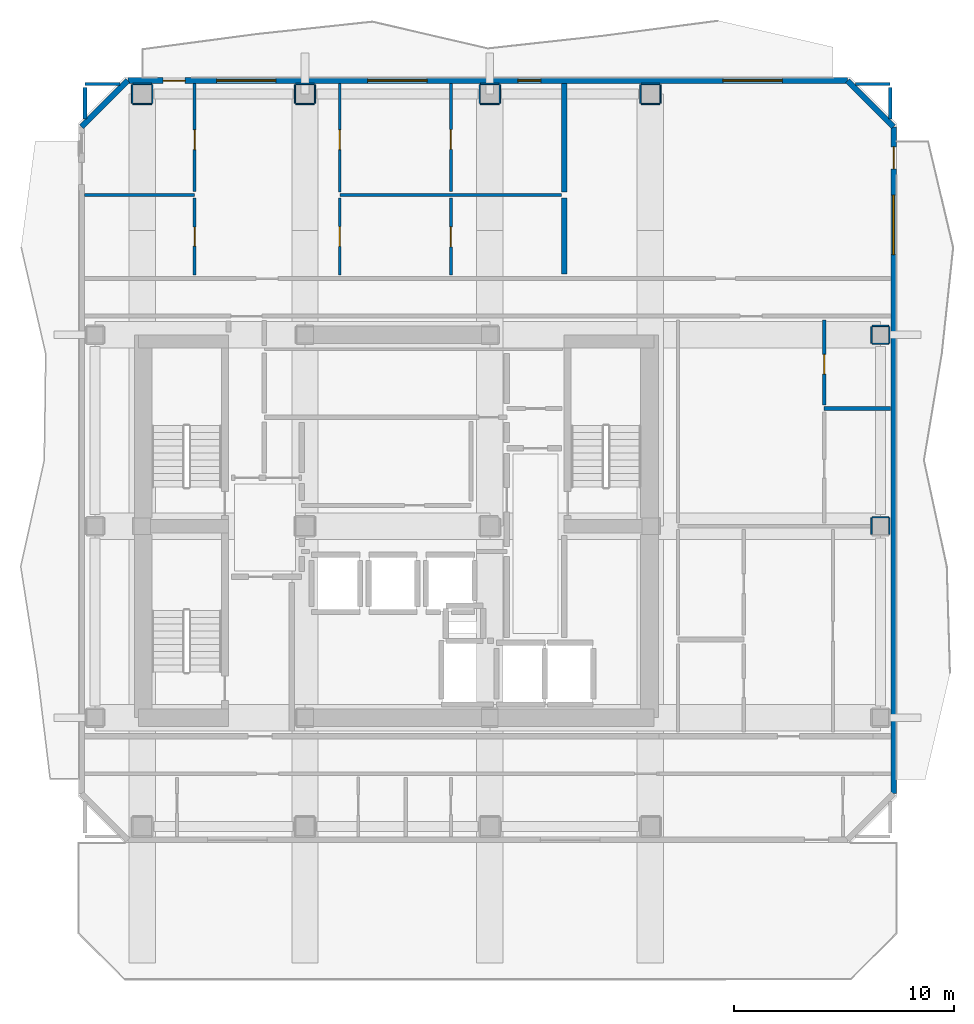
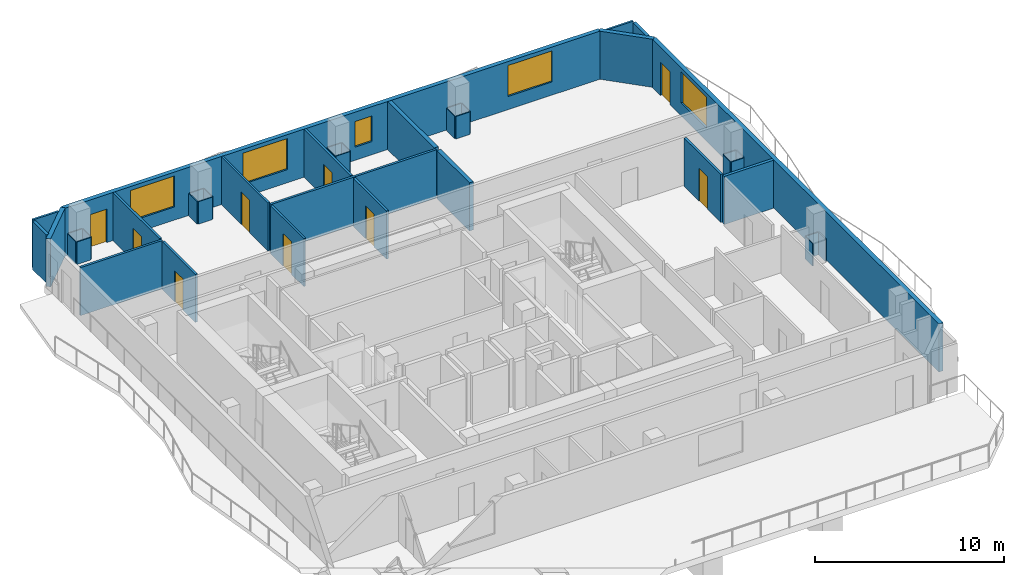
# One storey, part 5 of 9: 43 walls, 9 doors, 5 windows, 14 openings.
"""IFC4 building model written with IfcOpenShell, lengths in metres."""

from ifc_helpers import new_model, si_unit, direction, frame, frame_2d, origin, place, context, subcontext, project, spatial, rectangle, extrude, material, layer, layer_set, type_object, element, fill, save


model = new_model("IFC4")

# Units and contexts
model_context = context("Model", 3, precision=1e-05, world=origin(), true_north=direction((0.0, 1.0)))
body_context = subcontext(model_context, "Body", "Model", "MODEL_VIEW")
ifc_project = project(units=[si_unit("LENGTHUNIT", "METRE"), si_unit("AREAUNIT", "SQUARE_METRE"), si_unit("VOLUMEUNIT", "CUBIC_METRE"), si_unit("PLANEANGLEUNIT", "RADIAN"), si_unit("MASSUNIT", "GRAM", prefix="KILO")], contexts=[model_context])

# Site, building, storey
site_placement = place(None, origin())
site = spatial("IfcSite", under=ifc_project, at=site_placement, CompositionType="ELEMENT")
building_placement = place(site_placement, origin())
building = spatial("IfcBuilding", under=site, at=building_placement, Name="Solanera Arch Residences", CompositionType="ELEMENT")
storey_placement = place(building_placement, frame((0.0, 0.0, 231.280029296875)))
storey = spatial("IfcBuildingStorey", under=building, at=storey_placement, Name="L67", CompositionType="ELEMENT", Elevation=231.280029296875)

# Walls
ifc_material_1 = material(Name="Fire-Rated Gypsum Stud Partition", Category="gypsum")
ifc_layer_1 = layer(ifc_material_1, 0.06005859375)
ifc_layer_set_1 = layer_set([ifc_layer_1], Name="Fire-Rated Gypsum Stud Partition")
wall_type_1 = type_object("IfcWallType", Name="Column Acoustic Furring Wall 60", PredefinedType="PARTITIONING", material=ifc_layer_set_1)
for number, where, z_axis, x_axis, name in (
    (1, (12.97509765625, 49.89306640625, 0.0), (0.0, 0.0, 1.0), (1.0, 0.0, 0.0), "L67 Column Furring 10S"),
    (2, (12.97509765625, 50.806884765625, 0.0), (0.0, 0.0, 1.0), (1.0, 0.0, 0.0), "L67 Column Furring 10N"),
    (3, (12.943115234375, 49.925048828125, 0.0), (0.0, 0.0, 1.0), (0.0, 1.0, 0.0), "L67 Column Furring 10W"),
    (4, (13.85693359375, 49.925048828125, 0.0), (0.0, 0.0, 1.0), (0.0, 1.0, 0.0), "L67 Column Furring 10E"),
):
    element("IfcWall", number, at=place(storey_placement, frame(where, z_axis=z_axis, x_axis=x_axis)), inside=storey, type_object=wall_type_1, Name=name, PredefinedType="PARTITIONING", context=body_context, shape_type="SweptSolid", body=[
        extrude(rectangle(XDim=0.849853515625, YDim=0.06005859375, at=frame_2d((0.4248046875, 0.0))), origin(), (0.0, 0.0, 1.0), 1.449951171875),
    ])
for number, where, z_axis, x_axis, name in (
    (5, (20.375, 49.89306640625, 0.0), (0.0, 0.0, 1.0), (1.0, 0.0, 0.0), "L67 Column Furring 12S"),
    (6, (20.375, 50.806884765625, 0.0), (0.0, 0.0, 1.0), (1.0, 0.0, 0.0), "L67 Column Furring 12N"),
):
    element("IfcWall", number, at=place(storey_placement, frame(where, z_axis=z_axis, x_axis=x_axis)), inside=storey, type_object=wall_type_1, Name=name, PredefinedType="PARTITIONING", context=body_context, shape_type="SweptSolid", body=[
        extrude(rectangle(XDim=0.85009765625, YDim=0.06005859375, at=frame_2d((0.425048828125, 0.0))), origin(), (0.0, 0.0, 1.0), 1.449951171875),
    ])
for number, where, z_axis, x_axis, name in (
    (7, (20.343017578125, 49.925048828125, 0.0), (0.0, 0.0, 1.0), (0.0, 1.0, 0.0), "L67 Column Furring 12W"),
    (8, (21.257080078125, 49.925048828125, 0.0), (0.0, 0.0, 1.0), (0.0, 1.0, 0.0), "L67 Column Furring 12E"),
):
    element("IfcWall", number, at=place(storey_placement, frame(where, z_axis=z_axis, x_axis=x_axis)), inside=storey, type_object=wall_type_1, Name=name, PredefinedType="PARTITIONING", context=body_context, shape_type="SweptSolid", body=[
        extrude(rectangle(XDim=0.849853515625, YDim=0.06005859375, at=frame_2d((0.4248046875, 0.0))), origin(), (0.0, 0.0, 1.0), 1.449951171875),
    ])
for number, where, z_axis, x_axis, name in (
    (9, (28.77490234375, 49.89306640625, 0.0), (0.0, 0.0, 1.0), (1.0, 0.0, 0.0), "L67 Column Furring 14S"),
    (10, (28.77490234375, 50.806884765625, 0.0), (0.0, 0.0, 1.0), (1.0, 0.0, 0.0), "L67 Column Furring 14N"),
):
    element("IfcWall", number, at=place(storey_placement, frame(where, z_axis=z_axis, x_axis=x_axis)), inside=storey, type_object=wall_type_1, Name=name, PredefinedType="PARTITIONING", context=body_context, shape_type="SweptSolid", body=[
        extrude(rectangle(XDim=0.85009765625, YDim=0.06005859375, at=frame_2d((0.425048828125, 0.0))), origin(), (0.0, 0.0, 1.0), 1.449951171875),
    ])
for number, where, z_axis, x_axis, name in (
    (11, (28.742919921875, 49.925048828125, 0.0), (0.0, 0.0, 1.0), (0.0, 1.0, 0.0), "L67 Column Furring 14W"),
    (12, (29.656982421875, 49.925048828125, 0.0), (0.0, 0.0, 1.0), (0.0, 1.0, 0.0), "L67 Column Furring 14E"),
):
    element("IfcWall", number, at=place(storey_placement, frame(where, z_axis=z_axis, x_axis=x_axis)), inside=storey, type_object=wall_type_1, Name=name, PredefinedType="PARTITIONING", context=body_context, shape_type="SweptSolid", body=[
        extrude(rectangle(XDim=0.849853515625, YDim=0.06005859375, at=frame_2d((0.4248046875, 0.0))), origin(), (0.0, 0.0, 1.0), 1.449951171875),
    ])
for number, where, z_axis, x_axis, name in (
    (13, (36.074951171875, 49.89306640625, 0.0), (0.0, 0.0, 1.0), (1.0, 0.0, 0.0), "L67 Column Furring 16S"),
    (14, (36.074951171875, 50.806884765625, 0.0), (0.0, 0.0, 1.0), (1.0, 0.0, 0.0), "L67 Column Furring 16N"),
):
    element("IfcWall", number, at=place(storey_placement, frame(where, z_axis=z_axis, x_axis=x_axis)), inside=storey, type_object=wall_type_1, Name=name, PredefinedType="PARTITIONING", context=body_context, shape_type="SweptSolid", body=[
        extrude(rectangle(XDim=0.85009765625, YDim=0.06005859375, at=frame_2d((0.425048828125, 0.0))), origin(), (0.0, 0.0, 1.0), 1.449951171875),
    ])
for number, where, z_axis, x_axis, name in (
    (15, (36.04296875, 49.925048828125, 0.0), (0.0, 0.0, 1.0), (0.0, 1.0, 0.0), "L67 Column Furring 16W"),
    (16, (36.95703125, 49.925048828125, 0.0), (0.0, 0.0, 1.0), (0.0, 1.0, 0.0), "L67 Column Furring 16E"),
):
    element("IfcWall", number, at=place(storey_placement, frame(where, z_axis=z_axis, x_axis=x_axis)), inside=storey, type_object=wall_type_1, Name=name, PredefinedType="PARTITIONING", context=body_context, shape_type="SweptSolid", body=[
        extrude(rectangle(XDim=0.849853515625, YDim=0.06005859375, at=frame_2d((0.4248046875, 0.0))), origin(), (0.0, 0.0, 1.0), 1.449951171875),
    ])
for number, where, z_axis, x_axis, name in (
    (17, (46.574951171875, 31.10693359375, 0.0), (0.0, 0.0, 1.0), (1.0, 0.0, 0.0), "L67 Column Furring 20N"),
    (18, (46.54296875, 30.324951171875, 0.0), (0.0, 0.0, 1.0), (0.0, 1.0, 0.0), "L67 Column Furring 20W"),
    (19, (47.35693359375, 30.324951171875, 0.0), (0.0, 0.0, 1.0), (0.0, 1.0, 0.0), "L67 Column Furring 20E"),
    (20, (46.574951171875, 38.992919921875, 0.0), (0.0, 0.0, 1.0), (1.0, 0.0, 0.0), "L67 Column Furring 22S"),
    (21, (46.574951171875, 39.806884765625, 0.0), (0.0, 0.0, 1.0), (1.0, 0.0, 0.0), "L67 Column Furring 22N"),
    (22, (46.54296875, 39.02490234375, 0.0), (0.0, 0.0, 1.0), (0.0, 1.0, 0.0), "L67 Column Furring 22W"),
    (23, (47.35693359375, 39.02490234375, 0.0), (0.0, 0.0, 1.0), (0.0, 1.0, 0.0), "L67 Column Furring 22E"),
):
    element("IfcWall", number, at=place(storey_placement, frame(where, z_axis=z_axis, x_axis=x_axis)), inside=storey, type_object=wall_type_1, Name=name, PredefinedType="PARTITIONING", context=body_context, shape_type="SweptSolid", body=[
        extrude(rectangle(XDim=0.75, YDim=0.06005859375, at=frame_2d((0.375, 0.0))), origin(), (0.0, 0.0, 1.0), 1.449951171875),
    ])
ifc_material_2 = material(Name="Autoclaved Aerated Concrete Blockwork", Category="masonry")
ifc_layer_2 = layer(ifc_material_2, 0.179931640625)
ifc_layer_set_2 = layer_set([ifc_layer_2], Name="Autoclaved Aerated Concrete Blockwork")
wall_type_2 = type_object("IfcWallType", Name="Corridor Fire Partition 180", PredefinedType="PARTITIONING", material=ifc_layer_set_2)
wall_1_placement = place(storey_placement, frame((44.39990234375, 36.050048828125, 0.0), z_axis=(0.0, 0.0, 1.0), x_axis=(1.0, 0.0, 0.0)))
element("IfcWall", 24, at=wall_1_placement, inside=storey, type_object=wall_type_2, Name="L67 Interior Partition H12", PredefinedType="PARTITIONING", context=body_context, shape_type="SweptSolid", body=[
    extrude(rectangle(XDim=3.01318359375, YDim=0.179931640625, at=frame_2d((1.506591796875, 0.0))), origin(), (0.0, 0.0, 1.0), 3.099853515625),
])
for number, where, z_axis, x_axis, name in (
    (25, (10.800048828125, 49.2109375, 0.0), (0.0, 0.0, 1.0), (0.0, 1.0, 0.0), "L67 Interior Partition V9"),
    (26, (47.39990234375, 49.2109375, 0.0), (0.0, 0.0, 1.0), (0.0, 1.0, 0.0), "L67 Interior Partition V11 2"),
):
    element("IfcWall", number, at=place(storey_placement, frame(where, z_axis=z_axis, x_axis=x_axis)), inside=storey, type_object=wall_type_2, Name=name, PredefinedType="PARTITIONING", context=body_context, shape_type="SweptSolid", body=[
        extrude(rectangle(XDim=1.43115234375, YDim=0.179931640625, at=frame_2d((0.715576171875, 0.0))), origin(), (0.0, 0.0, 1.0), 3.099853515625),
    ])
ifc_material_3 = material(Name="Precast Concrete C35/45", Category="concrete")
ifc_layer_3 = layer(ifc_material_3, 0.260009765625)
ifc_layer_set_3 = layer_set([ifc_layer_3], Name="Precast Concrete C35/45")
wall_type_3 = type_object("IfcWallType", Name="Exterior Wall Precast Masonry-Frame 260", PredefinedType="STANDARD", material=ifc_layer_set_3)
wall_2_placement = place(storey_placement, frame((10.64501953125, 48.85498046875, 0.0), z_axis=(0.0, 0.0, 1.0), x_axis=(0.707106781187, 0.707106781187, 0.0)))
element("IfcWall", 27, at=wall_2_placement, inside=storey, type_object=wall_type_3, Name="L67 Tower Exterior Precast Masonry-Frame Wall CH1", PredefinedType="STANDARD", context=body_context, shape_type="SweptSolid", body=[
    extrude(rectangle(XDim=2.969970703125, YDim=0.260009765625, at=frame_2d((1.48486328125, 0.0))), origin(), (0.0, 0.0, 1.0), 3.099853515625),
])

# Wall, openings, door, windows
wall_3_placement = place(storey_placement, frame((12.7451171875, 50.955078125, 0.0), z_axis=(0.0, 0.0, 1.0), x_axis=(1.0, 0.0, 0.0)))
wall_3 = element("IfcWall", 28, at=wall_3_placement, inside=storey, type_object=wall_type_3, Name="L67 Tower Exterior Precast Masonry-Frame Wall N", PredefinedType="STANDARD", context=body_context, shape_type="SweptSolid", body=[
    extrude(rectangle(XDim=32.7099609375, YDim=0.260009765625, at=frame_2d((16.35498046875, 0.0))), origin(), (0.0, 0.0, 1.0), 3.099853515625),
])
opening_1_placement = place(wall_3_placement, frame((1.610107421875, 0.0, 0.0)))
opening_1 = element("IfcOpeningElement", 29, at=opening_1_placement, cuts=wall_3, Name="Opening DB-01", PredefinedType="OPENING", context=body_context, shape_type="SweptSolid", body=[
    extrude(rectangle(XDim=1.0, YDim=2.14990234375, at=frame_2d((0.5, 1.074951171875))), frame((0.0, 0.139892578125, 0.0), z_axis=(0.0, -1.0, 0.0), x_axis=(1.0, 0.0, 0.0)), (0.0, 0.0, 1.0), 0.28),
])
opening_2_placement = place(wall_3_placement, frame((4.033935546875, 0.0, 0.85009765625)))
opening_2 = element("IfcOpeningElement", 30, at=opening_2_placement, cuts=wall_3, Name="Opening W-09", PredefinedType="OPENING", context=body_context, shape_type="SweptSolid", body=[
    extrude(rectangle(XDim=2.699951171875, YDim=2.0, at=frame_2d((1.35009765625, 1.0))), frame((0.0, 0.139892578125, 0.0), z_axis=(0.0, -1.0, 0.0), x_axis=(1.0, 0.0, 0.0)), (0.0, 0.0, 1.0), 0.28),
])
opening_3_placement = place(wall_3_placement, frame((10.905029296875, 0.0, 0.85009765625)))
opening_3 = element("IfcOpeningElement", 31, at=opening_3_placement, cuts=wall_3, Name="Opening W-09", PredefinedType="OPENING", context=body_context, shape_type="SweptSolid", body=[
    extrude(rectangle(XDim=2.699951171875, YDim=2.0, at=frame_2d((1.35009765625, 1.0))), frame((0.0, 0.139892578125, 0.0), z_axis=(0.0, -1.0, 0.0), x_axis=(1.0, 0.0, 0.0)), (0.0, 0.0, 1.0), 0.28),
])
opening_4_placement = place(wall_3_placement, frame((17.72509765625, 0.0, 0.85009765625)))
opening_4 = element("IfcOpeningElement", 32, at=opening_4_placement, cuts=wall_3, Name="Opening W-07", PredefinedType="OPENING", context=body_context, shape_type="SweptSolid", body=[
    extrude(rectangle(XDim=1.050048828125, YDim=1.64990234375, at=frame_2d((0.52490234375, 0.824951171875))), frame((0.0, 0.139892578125, 0.0), z_axis=(0.0, -1.0, 0.0), x_axis=(1.0, 0.0, 0.0)), (0.0, 0.0, 1.0), 0.28),
])
opening_5_placement = place(wall_3_placement, frame((27.050048828125, 0.0, 0.85009765625)))
opening_5 = element("IfcOpeningElement", 33, at=opening_5_placement, cuts=wall_3, Name="Opening W-09", PredefinedType="OPENING", context=body_context, shape_type="SweptSolid", body=[
    extrude(rectangle(XDim=2.699951171875, YDim=2.0, at=frame_2d((1.35009765625, 1.0))), frame((0.0, 0.139892578125, 0.0), z_axis=(0.0, -1.0, 0.0), x_axis=(1.0, 0.0, 0.0)), (0.0, 0.0, 1.0), 0.28),
])
ifc_material_4 = material(Name="Anodised Aluminium Alloy 6063-T6", Category="aluminium")
door_type_1 = type_object("IfcDoorType", Name="Glazed Balcony Swing Door DB-01", OperationType="NOTDEFINED", PredefinedType="DOOR", material=ifc_material_4)
door_1_placement = place(opening_1_placement, origin())
door_1 = element("IfcDoor", 34, at=door_1_placement, inside=storey, type_object=door_type_1, Name="DR-L67-OUT-02", OperationType="SINGLE_SWING_RIGHT", OverallHeight=2.14990234375, OverallWidth=1.0, PredefinedType="DOOR", context=body_context, shape_type="SweptSolid", body=[
    extrude(rectangle(XDim=1.0, YDim=2.14990234375, at=frame_2d((0.5, 1.074951171875))), frame((0.0, 0.02490234375, 0.0), z_axis=(0.0, -1.0, 0.0), x_axis=(1.0, 0.0, 0.0)), (0.0, 0.0, 1.0), 0.050048828125),
])
fill(opening_1, door_1)
ifc_material_5 = material(Name="Double Glazed Low-E Laminated Glass", Category="glass")
window_type_1 = type_object("IfcWindowType", Name="Punched Window W-07", PartitioningType="SINGLE_PANEL", PredefinedType="WINDOW", material=ifc_material_5)
window_1_placement = place(opening_4_placement, origin())
window_1 = element("IfcWindow", 35, at=window_1_placement, inside=storey, type_object=window_type_1, Name="L67 6703-BR3 Punched Window", OverallHeight=1.64990234375, OverallWidth=1.050048828125, PartitioningType="SINGLE_PANEL", PredefinedType="WINDOW", context=body_context, shape_type="SweptSolid", body=[
    extrude(rectangle(XDim=1.050048828125, YDim=1.64990234375, at=frame_2d((0.52490234375, 0.824951171875))), frame((0.0, 0.030029296875, 0.0), z_axis=(0.0, -1.0, 0.0), x_axis=(1.0, 0.0, 0.0)), (0.0, 0.0, 1.0), 0.06005859375),
])
fill(opening_4, window_1)
ifc_material_6 = material(Name="Double Glazed Low-E Laminated Glass", Category="glass")
window_type_2 = type_object("IfcWindowType", Name="Punched Window W-09", PartitioningType="TRIPLE_PANEL_VERTICAL", PredefinedType="WINDOW", material=ifc_material_6)
window_2_placement = place(opening_2_placement, origin())
window_2 = element("IfcWindow", 36, at=window_2_placement, inside=storey, type_object=window_type_2, Name="L67 6703-LIV Punched Window", OverallHeight=2.0, OverallWidth=2.699951171875, PartitioningType="SINGLE_PANEL", PredefinedType="WINDOW", context=body_context, shape_type="SweptSolid", body=[
    extrude(rectangle(XDim=2.699951171875, YDim=2.0, at=frame_2d((1.35009765625, 1.0))), frame((0.0, 0.030029296875, 0.0), z_axis=(0.0, -1.0, 0.0), x_axis=(1.0, 0.0, 0.0)), (0.0, 0.0, 1.0), 0.06005859375),
])
fill(opening_2, window_2)
window_3_placement = place(opening_3_placement, origin())
window_3 = element("IfcWindow", 37, at=window_3_placement, inside=storey, type_object=window_type_2, Name="L67 6703-BR2 Punched Window", OverallHeight=2.0, OverallWidth=2.699951171875, PartitioningType="SINGLE_PANEL", PredefinedType="WINDOW", context=body_context, shape_type="SweptSolid", body=[
    extrude(rectangle(XDim=2.699951171875, YDim=2.0, at=frame_2d((1.35009765625, 1.0))), frame((0.0, 0.030029296875, 0.0), z_axis=(0.0, -1.0, 0.0), x_axis=(1.0, 0.0, 0.0)), (0.0, 0.0, 1.0), 0.06005859375),
])
fill(opening_3, window_3)
window_4_placement = place(opening_5_placement, origin())
window_4 = element("IfcWindow", 38, at=window_4_placement, inside=storey, type_object=window_type_2, Name="L67 AMN-WIN Punched Window", OverallHeight=2.0, OverallWidth=2.699951171875, PartitioningType="SINGLE_PANEL", PredefinedType="WINDOW", context=body_context, shape_type="SweptSolid", body=[
    extrude(rectangle(XDim=2.699951171875, YDim=2.0, at=frame_2d((1.35009765625, 1.0))), frame((0.0, 0.030029296875, 0.0), z_axis=(0.0, -1.0, 0.0), x_axis=(1.0, 0.0, 0.0)), (0.0, 0.0, 1.0), 0.06005859375),
])
fill(opening_5, window_4)

# Wall
wall_4_placement = place(storey_placement, frame((45.455078125, 50.955078125, 0.0), z_axis=(0.0, 0.0, 1.0), x_axis=(0.707065676302, -0.707147883682, 0.0)))
element("IfcWall", 39, at=wall_4_placement, inside=storey, type_object=wall_type_3, Name="L67 Tower Exterior Precast Masonry-Frame Wall CH3", PredefinedType="STANDARD", context=body_context, shape_type="SweptSolid", body=[
    extrude(rectangle(XDim=2.9697265625, YDim=0.260009765625, at=frame_2d((1.48486328125, 0.0))), origin(), (0.0, 0.0, 1.0), 3.099853515625),
])

# Wall, openings, door, window
wall_5_placement = place(storey_placement, frame((47.554931640625, 48.85498046875, 0.0), z_axis=(0.0, 0.0, 1.0), x_axis=(0.0, -1.0, 0.0)))
wall_5 = element("IfcWall", 40, at=wall_5_placement, inside=storey, type_object=wall_type_3, Name="L67 Tower Exterior Precast Masonry-Frame Wall E", PredefinedType="STANDARD", context=body_context, shape_type="SweptSolid", body=[
    extrude(rectangle(XDim=30.31005859375, YDim=0.260009765625, at=frame_2d((15.155029296875, 0.0))), origin(), (0.0, 0.0, 1.0), 3.099853515625),
])
opening_6_placement = place(wall_5_placement, frame((0.909912109375, 0.0, 0.0)))
opening_6 = element("IfcOpeningElement", 41, at=opening_6_placement, cuts=wall_5, Name="Opening DB-01", PredefinedType="OPENING", context=body_context, shape_type="SweptSolid", body=[
    extrude(rectangle(XDim=1.0, YDim=2.14990234375, at=frame_2d((0.5, 1.074951171875))), frame((0.0, 0.139892578125, 0.0), z_axis=(0.0, -1.0, 0.0), x_axis=(1.0, 0.0, 0.0)), (0.0, 0.0, 1.0), 0.28),
])
opening_7_placement = place(wall_5_placement, frame((3.10693359375, 0.0, 0.85009765625)))
opening_7 = element("IfcOpeningElement", 42, at=opening_7_placement, cuts=wall_5, Name="Opening W-09", PredefinedType="OPENING", context=body_context, shape_type="SweptSolid", body=[
    extrude(rectangle(XDim=2.699951171875, YDim=2.0, at=frame_2d((1.35009765625, 1.0))), frame((0.0, 0.139892578125, 0.0), z_axis=(0.0, -1.0, 0.0), x_axis=(1.0, 0.0, 0.0)), (0.0, 0.0, 1.0), 0.28),
])
door_2_placement = place(opening_6_placement, origin())
door_2 = element("IfcDoor", 43, at=door_2_placement, inside=storey, type_object=door_type_1, Name="DR-L67-OUT-03", OperationType="SINGLE_SWING_LEFT", OverallHeight=2.14990234375, OverallWidth=1.0, PredefinedType="DOOR", context=body_context, shape_type="SweptSolid", body=[
    extrude(rectangle(XDim=1.0, YDim=2.14990234375, at=frame_2d((0.5, 1.074951171875))), frame((0.0, 0.02490234375, 0.0), z_axis=(0.0, -1.0, 0.0), x_axis=(1.0, 0.0, 0.0)), (0.0, 0.0, 1.0), 0.050048828125),
])
fill(opening_6, door_2)
window_5_placement = place(opening_7_placement, origin())
window_5 = element("IfcWindow", 44, at=window_5_placement, inside=storey, type_object=window_type_2, Name="L67 AMN-WIN Punched Window", OverallHeight=2.0, OverallWidth=2.699951171875, PartitioningType="SINGLE_PANEL", PredefinedType="WINDOW", context=body_context, shape_type="SweptSolid", body=[
    extrude(rectangle(XDim=2.699951171875, YDim=2.0, at=frame_2d((1.35009765625, 1.0))), frame((0.0, 0.030029296875, 0.0), z_axis=(0.0, -1.0, 0.0), x_axis=(1.0, 0.0, 0.0)), (0.0, 0.0, 1.0), 0.06005859375),
])
fill(opening_7, window_5)

# Walls
ifc_material_7 = material(Name="Autoclaved Aerated Concrete Blockwork", Category="masonry")
ifc_layer_4 = layer(ifc_material_7, 0.239990234375)
ifc_layer_set_4 = layer_set([ifc_layer_4], Name="Autoclaved Aerated Concrete Blockwork")
wall_type_4 = type_object("IfcWallType", Name="Shaft Wall Fire-Rated 240", PredefinedType="PARTITIONING", material=ifc_layer_set_4)
wall_6_placement = place(storey_placement, frame((32.580078125, 42.16796875, 0.0), z_axis=(0.0, 0.0, 1.0), x_axis=(0.0, 1.0, 0.0)))
element("IfcWall", 45, at=wall_6_placement, inside=storey, type_object=wall_type_4, Name="L67 Interior Partition V6 1", PredefinedType="PARTITIONING", context=body_context, shape_type="SweptSolid", body=[
    extrude(rectangle(XDim=3.4599609375, YDim=0.239990234375, at=frame_2d((1.72998046875, 0.0))), origin(), (0.0, 0.0, 1.0), 3.099853515625),
])
wall_7_placement = place(storey_placement, frame((32.580078125, 45.884033203125, 0.0), z_axis=(0.0, 0.0, 1.0), x_axis=(0.0, 1.0, 0.0)))
element("IfcWall", 46, at=wall_7_placement, inside=storey, type_object=wall_type_4, Name="L67 Interior Partition V6 2", PredefinedType="PARTITIONING", context=body_context, shape_type="SweptSolid", body=[
    extrude(rectangle(XDim=4.928955078125, YDim=0.239990234375, at=frame_2d((2.46435546875, 0.0))), origin(), (0.0, 0.0, 1.0), 3.099853515625),
])
ifc_material_8 = material(Name="Fire-Rated Gypsum Stud Partition", Category="gypsum")
ifc_layer_5 = layer(ifc_material_8, 0.1201171875)
ifc_layer_set_5 = layer_set([ifc_layer_5], Name="Fire-Rated Gypsum Stud Partition")
wall_type_5 = type_object("IfcWallType", Name="Unit Drywall Partition 120", PredefinedType="PARTITIONING", material=ifc_layer_set_5)
for number, where, z_axis, x_axis, name in (
    (47, (10.800048828125, 50.800048828125, 0.0), (0.0, 0.0, 1.0), (1.0, 0.0, 0.0), "L67 Interior Partition H20 1"),
    (48, (45.81103515625, 50.800048828125, 0.0), (0.0, 0.0, 1.0), (1.0, 0.0, 0.0), "L67 Interior Partition H20 2"),
):
    element("IfcWall", number, at=place(storey_placement, frame(where, z_axis=z_axis, x_axis=x_axis)), inside=storey, type_object=wall_type_5, Name=name, PredefinedType="PARTITIONING", context=body_context, shape_type="SweptSolid", body=[
        extrude(rectangle(XDim=1.5888671875, YDim=0.1201171875, at=frame_2d((0.79443359375, 0.0))), origin(), (0.0, 0.0, 1.0), 3.099853515625),
    ])

# Wall, opening, door
wall_8_placement = place(storey_placement, frame((22.3798828125, 42.10791015625, 0.0), z_axis=(0.0, 0.0, 1.0), x_axis=(0.0, 1.0, 0.0)))
wall_8 = element("IfcWall", 49, at=wall_8_placement, inside=storey, type_object=wall_type_5, Name="L67 Interior Partition V20 1", PredefinedType="PARTITIONING", context=body_context, shape_type="SweptSolid", body=[
    extrude(rectangle(XDim=3.510009765625, YDim=0.1201171875, at=frame_2d((1.7548828125, 0.0))), origin(), (0.0, 0.0, 1.0), 3.099853515625),
])
opening_8_placement = place(wall_8_placement, frame((1.30810546875, 0.0, 0.0)))
opening_8 = element("IfcOpeningElement", 50, at=opening_8_placement, cuts=wall_8, Name="Opening DI-02", PredefinedType="OPENING", context=body_context, shape_type="SweptSolid", body=[
    extrude(rectangle(XDim=0.89990234375, YDim=2.10009765625, at=frame_2d((0.449951171875, 1.050048828125))), frame((0.0, 0.070068359375, 0.0), z_axis=(0.0, -1.0, 0.0), x_axis=(1.0, 0.0, 0.0)), (0.0, 0.0, 1.0), 0.1401),
])
ifc_material_9 = material(Name="Fire-Rated Architectural Hardwood", Category="wood")
door_type_2 = type_object("IfcDoorType", Name="Suite Room Swing Door DI-02", OperationType="NOTDEFINED", PredefinedType="DOOR", material=ifc_material_9)
door_3_placement = place(opening_8_placement, origin())
door_3 = element("IfcDoor", 51, at=door_3_placement, inside=storey, type_object=door_type_2, Name="DR-L67-IN-023", OperationType="SINGLE_SWING_LEFT", OverallHeight=2.10009765625, OverallWidth=0.89990234375, PredefinedType="DOOR", context=body_context, shape_type="SweptSolid", body=[
    extrude(rectangle(XDim=0.89990234375, YDim=2.10009765625, at=frame_2d((0.449951171875, 1.050048828125))), frame((0.0, 0.02490234375, 0.0), z_axis=(0.0, -1.0, 0.0), x_axis=(1.0, 0.0, 0.0)), (0.0, 0.0, 1.0), 0.050048828125),
])
fill(opening_8, door_3)

wall_9_placement = place(storey_placement, frame((22.3798828125, 45.89404296875, 0.0), z_axis=(0.0, 0.0, 1.0), x_axis=(0.0, 1.0, 0.0)))
wall_9 = element("IfcWall", 52, at=wall_9_placement, inside=storey, type_object=wall_type_5, Name="L67 Interior Partition V20 2", PredefinedType="PARTITIONING", context=body_context, shape_type="SweptSolid", body=[
    extrude(rectangle(XDim=4.9189453125, YDim=0.1201171875, at=frame_2d((2.45947265625, 0.0))), origin(), (0.0, 0.0, 1.0), 3.099853515625),
])
opening_9_placement = place(wall_9_placement, frame((1.9208984375, 0.0, 0.0)))
opening_9 = element("IfcOpeningElement", 53, at=opening_9_placement, cuts=wall_9, Name="Opening DI-03", PredefinedType="OPENING", context=body_context, shape_type="SweptSolid", body=[
    extrude(rectangle(XDim=0.89990234375, YDim=2.10009765625, at=frame_2d((0.449951171875, 1.050048828125))), frame((0.0, 0.070068359375, 0.0), z_axis=(0.0, -1.0, 0.0), x_axis=(1.0, 0.0, 0.0)), (0.0, 0.0, 1.0), 0.1401),
])
ifc_material_10 = material(Name="Fire-Rated Architectural Hardwood", Category="wood")
door_type_3 = type_object("IfcDoorType", Name="Bedroom Swing Door DI-03", OperationType="NOTDEFINED", PredefinedType="DOOR", material=ifc_material_10)
door_4_placement = place(opening_9_placement, origin())
door_4 = element("IfcDoor", 54, at=door_4_placement, inside=storey, type_object=door_type_3, Name="DR-L67-IN-025", OperationType="SINGLE_SWING_LEFT", OverallHeight=2.10009765625, OverallWidth=0.89990234375, PredefinedType="DOOR", context=body_context, shape_type="SweptSolid", body=[
    extrude(rectangle(XDim=0.89990234375, YDim=2.10009765625, at=frame_2d((0.449951171875, 1.050048828125))), frame((0.0, 0.02490234375, 0.0), z_axis=(0.0, -1.0, 0.0), x_axis=(1.0, 0.0, 0.0)), (0.0, 0.0, 1.0), 0.050048828125),
])
fill(opening_9, door_4)

# Walls
ifc_material_11 = material(Name="Autoclaved Aerated Concrete Blockwork", Category="masonry")
ifc_layer_6 = layer(ifc_material_11, 0.139892578125)
ifc_layer_set_6 = layer_set([ifc_layer_6], Name="Autoclaved Aerated Concrete Blockwork")
wall_type_6 = type_object("IfcWallType", Name="Wet-Room Partition 140", PredefinedType="PARTITIONING", material=ifc_layer_set_6)
wall_10_placement = place(storey_placement, frame((10.787109375, 45.756103515625, 0.0), z_axis=(0.0, 0.0, 1.0), x_axis=(1.0, 0.0, 0.0)))
element("IfcWall", 55, at=wall_10_placement, inside=storey, type_object=wall_type_6, Name="L67 Interior Partition H17", PredefinedType="PARTITIONING", context=body_context, shape_type="SweptSolid", body=[
    extrude(rectangle(XDim=4.995849609375, YDim=0.139892578125, at=frame_2d((2.498046875, 0.0))), origin(), (0.0, 0.0, 1.0), 3.099853515625),
])
wall_11_placement = place(storey_placement, frame((22.3798828125, 45.756103515625, 0.0), z_axis=(0.0, 0.0, 1.0), x_axis=(1.0, 0.0, 0.0)))
element("IfcWall", 56, at=wall_11_placement, inside=storey, type_object=wall_type_6, Name="L67 Interior Partition H18", PredefinedType="PARTITIONING", context=body_context, shape_type="SweptSolid", body=[
    extrude(rectangle(XDim=10.086181640625, YDim=0.139892578125, at=frame_2d((5.04296875, 0.0))), origin(), (0.0, 0.0, 1.0), 3.099853515625),
])

# Wall, opening, door
wall_12_placement = place(storey_placement, frame((15.782958984375, 42.117919921875, 0.0), z_axis=(0.0, 0.0, 1.0), x_axis=(0.0, 1.0, 0.0)))
wall_12 = element("IfcWall", 57, at=wall_12_placement, inside=storey, type_object=wall_type_6, Name="L67 Interior Partition V13 1", PredefinedType="PARTITIONING", context=body_context, shape_type="SweptSolid", body=[
    extrude(rectangle(XDim=3.489990234375, YDim=0.139892578125, at=frame_2d((1.7451171875, 0.0))), origin(), (0.0, 0.0, 1.0), 3.099853515625),
])
opening_10_placement = place(wall_12_placement, frame((1.318115234375, 0.0, 0.0)))
opening_10 = element("IfcOpeningElement", 58, at=opening_10_placement, cuts=wall_12, Name="Opening DI-05", PredefinedType="OPENING", context=body_context, shape_type="SweptSolid", body=[
    extrude(rectangle(XDim=0.860107421875, YDim=2.02001953125, at=frame_2d((0.43017578125, 1.010009765625))), frame((0.0, 0.079833984375, 0.0), z_axis=(0.0, -1.0, 0.0), x_axis=(1.0, 0.0, 0.0)), (0.0, 0.0, 1.0), 0.1599),
])
ifc_material_12 = material(Name="Fire-Rated Architectural Hardwood", Category="wood")
door_type_4 = type_object("IfcDoorType", Name="Bathroom Swing Door DI-05", OperationType="NOTDEFINED", PredefinedType="DOOR", material=ifc_material_12)
door_5_placement = place(opening_10_placement, origin())
door_5 = element("IfcDoor", 59, at=door_5_placement, inside=storey, type_object=door_type_4, Name="DR-L67-IN-021", OperationType="SINGLE_SWING_LEFT", OverallHeight=2.02001953125, OverallWidth=0.860107421875, PredefinedType="DOOR", context=body_context, shape_type="SweptSolid", body=[
    extrude(rectangle(XDim=0.860107421875, YDim=2.02001953125, at=frame_2d((0.43017578125, 1.010009765625))), frame((0.0, 0.02490234375, 0.0), z_axis=(0.0, -1.0, 0.0), x_axis=(1.0, 0.0, 0.0)), (0.0, 0.0, 1.0), 0.050048828125),
])
fill(opening_10, door_5)

wall_13_placement = place(storey_placement, frame((15.782958984375, 45.904052734375, 0.0), z_axis=(0.0, 0.0, 1.0), x_axis=(0.0, 1.0, 0.0)))
wall_13 = element("IfcWall", 60, at=wall_13_placement, inside=storey, type_object=wall_type_6, Name="L67 Interior Partition V13 2", PredefinedType="PARTITIONING", context=body_context, shape_type="SweptSolid", body=[
    extrude(rectangle(XDim=4.908935546875, YDim=0.139892578125, at=frame_2d((2.45458984375, 0.0))), origin(), (0.0, 0.0, 1.0), 3.099853515625),
])
opening_11_placement = place(wall_13_placement, frame((1.910888671875, 0.0, 0.0)))
opening_11 = element("IfcOpeningElement", 61, at=opening_11_placement, cuts=wall_13, Name="Opening DI-03", PredefinedType="OPENING", context=body_context, shape_type="SweptSolid", body=[
    extrude(rectangle(XDim=0.89990234375, YDim=2.10009765625, at=frame_2d((0.449951171875, 1.050048828125))), frame((0.0, 0.079833984375, 0.0), z_axis=(0.0, -1.0, 0.0), x_axis=(1.0, 0.0, 0.0)), (0.0, 0.0, 1.0), 0.1599),
])
door_6_placement = place(opening_11_placement, origin())
door_6 = element("IfcDoor", 62, at=door_6_placement, inside=storey, type_object=door_type_3, Name="DR-L67-IN-022", OperationType="SINGLE_SWING_RIGHT", OverallHeight=2.10009765625, OverallWidth=0.89990234375, PredefinedType="DOOR", context=body_context, shape_type="SweptSolid", body=[
    extrude(rectangle(XDim=0.89990234375, YDim=2.10009765625, at=frame_2d((0.449951171875, 1.050048828125))), frame((0.0, 0.02490234375, 0.0), z_axis=(0.0, -1.0, 0.0), x_axis=(1.0, 0.0, 0.0)), (0.0, 0.0, 1.0), 0.050048828125),
])
fill(opening_11, door_6)

wall_14_placement = place(storey_placement, frame((27.427978515625, 42.117919921875, 0.0), z_axis=(0.0, 0.0, 1.0), x_axis=(0.0, 1.0, 0.0)))
wall_14 = element("IfcWall", 63, at=wall_14_placement, inside=storey, type_object=wall_type_6, Name="L67 Interior Partition V16 1", PredefinedType="PARTITIONING", context=body_context, shape_type="SweptSolid", body=[
    extrude(rectangle(XDim=3.489990234375, YDim=0.139892578125, at=frame_2d((1.7451171875, 0.0))), origin(), (0.0, 0.0, 1.0), 3.099853515625),
])
opening_12_placement = place(wall_14_placement, frame((1.284912109375, 0.0, 0.0)))
opening_12 = element("IfcOpeningElement", 64, at=opening_12_placement, cuts=wall_14, Name="Opening DI-02", PredefinedType="OPENING", context=body_context, shape_type="SweptSolid", body=[
    extrude(rectangle(XDim=0.89990234375, YDim=2.10009765625, at=frame_2d((0.449951171875, 1.050048828125))), frame((0.0, 0.079833984375, 0.0), z_axis=(0.0, -1.0, 0.0), x_axis=(1.0, 0.0, 0.0)), (0.0, 0.0, 1.0), 0.1599),
])
door_7_placement = place(opening_12_placement, origin())
door_7 = element("IfcDoor", 65, at=door_7_placement, inside=storey, type_object=door_type_2, Name="DR-L67-IN-024", OperationType="SINGLE_SWING_RIGHT", OverallHeight=2.10009765625, OverallWidth=0.89990234375, PredefinedType="DOOR", context=body_context, shape_type="SweptSolid", body=[
    extrude(rectangle(XDim=0.89990234375, YDim=2.10009765625, at=frame_2d((0.449951171875, 1.050048828125))), frame((0.0, 0.02490234375, 0.0), z_axis=(0.0, -1.0, 0.0), x_axis=(1.0, 0.0, 0.0)), (0.0, 0.0, 1.0), 0.050048828125),
])
fill(opening_12, door_7)

wall_15_placement = place(storey_placement, frame((27.427978515625, 45.904052734375, 0.0), z_axis=(0.0, 0.0, 1.0), x_axis=(0.0, 1.0, 0.0)))
wall_15 = element("IfcWall", 66, at=wall_15_placement, inside=storey, type_object=wall_type_6, Name="L67 Interior Partition V16 2", PredefinedType="PARTITIONING", context=body_context, shape_type="SweptSolid", body=[
    extrude(rectangle(XDim=4.908935546875, YDim=0.139892578125, at=frame_2d((2.45458984375, 0.0))), origin(), (0.0, 0.0, 1.0), 3.099853515625),
])
opening_13_placement = place(wall_15_placement, frame((1.924072265625, 0.0, 0.0)))
opening_13 = element("IfcOpeningElement", 67, at=opening_13_placement, cuts=wall_15, Name="Opening DI-03", PredefinedType="OPENING", context=body_context, shape_type="SweptSolid", body=[
    extrude(rectangle(XDim=0.89990234375, YDim=2.10009765625, at=frame_2d((0.449951171875, 1.050048828125))), frame((0.0, 0.079833984375, 0.0), z_axis=(0.0, -1.0, 0.0), x_axis=(1.0, 0.0, 0.0)), (0.0, 0.0, 1.0), 0.1599),
])
door_8_placement = place(opening_13_placement, origin())
door_8 = element("IfcDoor", 68, at=door_8_placement, inside=storey, type_object=door_type_3, Name="DR-L67-IN-026", OperationType="SINGLE_SWING_RIGHT", OverallHeight=2.10009765625, OverallWidth=0.89990234375, PredefinedType="DOOR", context=body_context, shape_type="SweptSolid", body=[
    extrude(rectangle(XDim=0.89990234375, YDim=2.10009765625, at=frame_2d((0.449951171875, 1.050048828125))), frame((0.0, 0.02490234375, 0.0), z_axis=(0.0, -1.0, 0.0), x_axis=(1.0, 0.0, 0.0)), (0.0, 0.0, 1.0), 0.050048828125),
])
fill(opening_13, door_8)

wall_16_placement = place(storey_placement, frame((44.39990234375, 36.218017578125, 0.0), z_axis=(0.0, 0.0, 1.0), x_axis=(0.0, 1.0, 0.0)))
wall_16 = element("IfcWall", 69, at=wall_16_placement, inside=storey, type_object=wall_type_6, Name="L67 Interior Partition V19 2", PredefinedType="PARTITIONING", context=body_context, shape_type="SweptSolid", body=[
    extrude(rectangle(XDim=3.864013671875, YDim=0.139892578125, at=frame_2d((1.93212890625, 0.0))), origin(), (0.0, 0.0, 1.0), 3.099853515625),
])
opening_14_placement = place(wall_16_placement, frame((1.39404296875, 0.0, 0.0)))
opening_14 = element("IfcOpeningElement", 70, at=opening_14_placement, cuts=wall_16, Name="Opening DI-02", PredefinedType="OPENING", context=body_context, shape_type="SweptSolid", body=[
    extrude(rectangle(XDim=0.89990234375, YDim=2.10009765625, at=frame_2d((0.449951171875, 1.050048828125))), frame((0.0, 0.079833984375, 0.0), z_axis=(0.0, -1.0, 0.0), x_axis=(1.0, 0.0, 0.0)), (0.0, 0.0, 1.0), 0.1599),
])
door_9_placement = place(opening_14_placement, origin())
door_9 = element("IfcDoor", 71, at=door_9_placement, inside=storey, type_object=door_type_2, Name="DR-L67-IN-033", OperationType="SINGLE_SWING_LEFT", OverallHeight=2.10009765625, OverallWidth=0.89990234375, PredefinedType="DOOR", context=body_context, shape_type="SweptSolid", body=[
    extrude(rectangle(XDim=0.89990234375, YDim=2.10009765625, at=frame_2d((0.449951171875, 1.050048828125))), frame((0.0, 0.02490234375, 0.0), z_axis=(0.0, -1.0, 0.0), x_axis=(1.0, 0.0, 0.0)), (0.0, 0.0, 1.0), 0.050048828125),
])
fill(opening_14, door_9)

save(model, "model.ifc")
